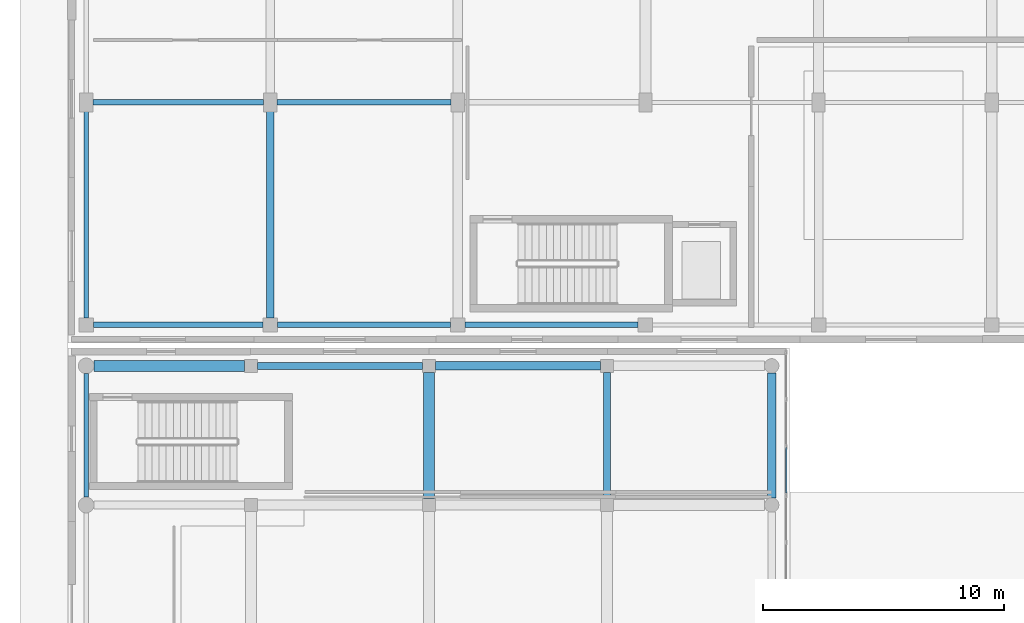
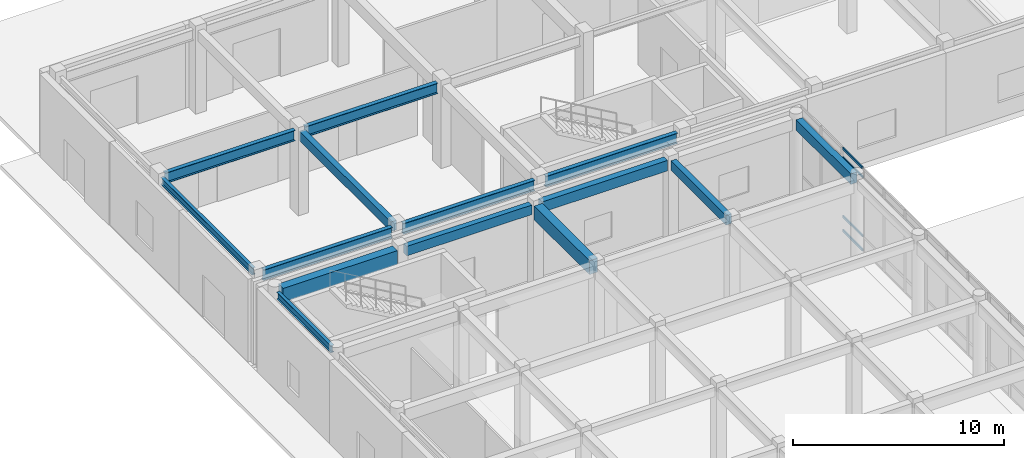
# One storey, part 41 of 121: 14 beams, 4 members, 1 element without a shape of its own.
"""IFC4 building model written with IfcOpenShell, lengths in metres."""

from ifc_helpers import new_model, si_unit, direction, frame, origin, origin_2d, place, context, subcontext, project, spatial, rectangle, hollow_rectangle, i_section, extrude, material, layer, layer_set, material_profile, profile_set, type_object, element, aggregate, save


model = new_model("IFC4")

# Units and contexts
model_context = context("Model", 3, precision=1e-05, world=origin(), true_north=direction((0.0, 1.0)))
body_context = subcontext(model_context, "Body", "Model", "MODEL_VIEW")
ifc_project = project(units=[si_unit("LENGTHUNIT", "METRE"), si_unit("AREAUNIT", "SQUARE_METRE"), si_unit("VOLUMEUNIT", "CUBIC_METRE"), si_unit("PLANEANGLEUNIT", "RADIAN"), si_unit("MASSUNIT", "GRAM", prefix="KILO")], contexts=[model_context])

# Site, building, storey
site_placement = place(None, origin())
site = spatial("IfcSite", under=ifc_project, at=site_placement, CompositionType="ELEMENT")
building_placement = place(site_placement, origin())
building = spatial("IfcBuilding", under=site, at=building_placement, Name="Valcora Specialist Clinic", CompositionType="ELEMENT")
storey_placement = place(building_placement, origin())
storey = spatial("IfcBuildingStorey", under=building, at=storey_placement, Name="L00", CompositionType="ELEMENT", Elevation=0.0)

# Beams
ifc_material_1 = material(Name="Steel ASTM A992 Grade 50", Category="steel")
ifc_material_profile_1 = material_profile(ifc_material_1, i_section(OverallWidth=0.177978515625, OverallDepth=0.406005859375, WebThickness=0.008056640625, FlangeThickness=0.012939453125, at=origin_2d()), Name="ST-IR-410X180")
ifc_profile_set_1 = profile_set([ifc_material_profile_1], Name="Steel ASTM A992 Grade 50")
beam_type_1 = type_object("IfcBeamType", Name="TY-BM-IR410", PredefinedType="SPANDREL", material=ifc_profile_set_1)
beam_1_placement = place(storey_placement, frame((0.75, 73.7890625, 4.60302734375), z_axis=(0.0, 1.0, 0.0), x_axis=(-1.0, 0.0, 0.0)))
element("IfcBeam", 1, at=beam_1_placement, inside=storey, type_object=beam_type_1, Name="Beam BM-L00-0106", PredefinedType="SPANDREL", context=body_context, shape_type="SweptSolid", body=[
    extrude(i_section(OverallWidth=0.177978515625, OverallDepth=0.406005859375, WebThickness=0.008056640625, FlangeThickness=0.012939453125, at=origin_2d()), origin(), (0.0, 0.0, 1.0), 5.135986328125),
])
beam_2_placement = place(storey_placement, frame((0.75, 81.25, 4.577880859375), z_axis=(0.0, 1.0, 0.0), x_axis=(-1.0, 0.0, 0.0)))
element("IfcBeam", 2, at=beam_2_placement, inside=storey, type_object=beam_type_1, Name="Beam BM-L00-0267", PredefinedType="SPANDREL", context=body_context, shape_type="SweptSolid", body=[
    extrude(i_section(OverallWidth=0.177978515625, OverallDepth=0.406005859375, WebThickness=0.008056640625, FlangeThickness=0.012939453125, at=origin_2d()), origin(), (0.0, 0.0, 1.0), 8.675048828125),
])
ifc_material_profile_2 = material_profile(ifc_material_1, i_section(OverallWidth=0.22900390625, OverallDepth=0.612060546875, WebThickness=0.011962890625, FlangeThickness=0.02001953125, at=origin_2d()), Name="ST-IR-610X229")
ifc_profile_set_2 = profile_set([ifc_material_profile_2], Name="Steel ASTM A992 Grade 50")
beam_type_2 = type_object("IfcBeamType", Name="TY-BM-IR610", PredefinedType="BEAM", material=ifc_profile_set_2)
beam_3_placement = place(storey_placement, frame((1.050048828125, 80.949951171875, 4.47509765625), z_axis=(1.0, 0.0, 0.0), x_axis=(0.0, 1.0, 0.0)))
element("IfcBeam", 3, at=beam_3_placement, inside=storey, type_object=beam_type_2, Name="Beam BM-L00-0241", PredefinedType="BEAM", context=body_context, shape_type="SweptSolid", body=[
    extrude(i_section(OverallWidth=0.22900390625, OverallDepth=0.612060546875, WebThickness=0.011962890625, FlangeThickness=0.02001953125, at=origin_2d()), origin(), (0.0, 0.0, 1.0), 7.050048828125),
])
for number, where, z_axis, x_axis, name in (
    (4, (8.699951171875, 80.949951171875, 4.47509765625), (1.0, 0.0, 0.0), (0.0, 1.0, 0.0), "Beam BM-L00-0242"),
    (5, (16.5, 80.949951171875, 4.47509765625), (1.0, 0.0, 0.0), (0.0, 1.0, 0.0), "Beam BM-L00-0243"),
):
    element("IfcBeam", number, at=place(storey_placement, frame(where, z_axis=z_axis, x_axis=x_axis)), inside=storey, type_object=beam_type_2, Name=name, PredefinedType="BEAM", context=body_context, shape_type="SweptSolid", body=[
        extrude(i_section(OverallWidth=0.22900390625, OverallDepth=0.612060546875, WebThickness=0.011962890625, FlangeThickness=0.02001953125, at=origin_2d()), origin(), (0.0, 0.0, 1.0), 7.199951171875),
    ])
beam_4_placement = place(storey_placement, frame((1.02490234375, 90.199951171875, 4.47509765625), z_axis=(1.0, 0.0, 0.0), x_axis=(0.0, 1.0, 0.0)))
element("IfcBeam", 6, at=beam_4_placement, inside=storey, type_object=beam_type_2, Name="Beam BM-L00-0248", PredefinedType="BEAM", context=body_context, shape_type="SweptSolid", body=[
    extrude(i_section(OverallWidth=0.22900390625, OverallDepth=0.612060546875, WebThickness=0.011962890625, FlangeThickness=0.02001953125, at=origin_2d()), origin(), (0.0, 0.0, 1.0), 7.10009765625),
])
beam_5_placement = place(storey_placement, frame((8.675048828125, 90.199951171875, 4.47509765625), z_axis=(1.0, 0.0, 0.0), x_axis=(0.0, 1.0, 0.0)))
element("IfcBeam", 7, at=beam_5_placement, inside=storey, type_object=beam_type_2, Name="Beam BM-L00-0249", PredefinedType="BEAM", context=body_context, shape_type="SweptSolid", body=[
    extrude(i_section(OverallWidth=0.22900390625, OverallDepth=0.612060546875, WebThickness=0.011962890625, FlangeThickness=0.02001953125, at=origin_2d()), origin(), (0.0, 0.0, 1.0), 7.25),
])
ifc_material_2 = material(Name="Concrete C40/50", Category="concrete")
ifc_material_profile_3 = material_profile(ifc_material_2, rectangle(XDim=0.300048828125, YDim=0.550048828125, at=origin_2d()), Name="RC-BM-300X550")
ifc_profile_set_3 = profile_set([ifc_material_profile_3], Name="Concrete C40/50")
beam_type_3 = type_object("IfcBeamType", Name="TY-BM-RC300X550", PredefinedType="BEAM", material=ifc_profile_set_3)
beam_6_placement = place(storey_placement, frame((7.875, 79.25, 4.534912109375), z_axis=(1.0, 0.0, 0.0), x_axis=(0.0, 1.0, 0.0)))
element("IfcBeam", 8, at=beam_6_placement, inside=storey, type_object=beam_type_3, Name="Beam BM-L00-0097", PredefinedType="BEAM", context=body_context, shape_type="SweptSolid", body=[
    extrude(rectangle(XDim=0.300048828125, YDim=0.550048828125, at=origin_2d()), origin(), (0.0, 0.0, 1.0), 6.85009765625),
])
beam_7_placement = place(storey_placement, frame((22.39990234375, 73.739013671875, 4.534912109375), z_axis=(0.0, 1.0, 0.0), x_axis=(-1.0, 0.0, 0.0)))
element("IfcBeam", 9, at=beam_7_placement, inside=storey, type_object=beam_type_3, Name="Beam BM-L00-0125", PredefinedType="BEAM", context=body_context, shape_type="SweptSolid", body=[
    extrude(rectangle(XDim=0.300048828125, YDim=0.550048828125, at=origin_2d()), origin(), (0.0, 0.0, 1.0), 5.236083984375),
])
beam_8_placement = place(storey_placement, frame((8.39990234375, 81.25, 4.510009765625), z_axis=(0.0, 1.0, 0.0), x_axis=(-1.0, 0.0, 0.0)))
element("IfcBeam", 10, at=beam_8_placement, inside=storey, type_object=beam_type_3, Name="Beam BM-L00-0269", PredefinedType="BEAM", context=body_context, shape_type="SweptSolid", body=[
    extrude(rectangle(XDim=0.300048828125, YDim=0.550048828125, at=origin_2d()), origin(), (0.0, 0.0, 1.0), 8.675048828125),
])
ifc_material_profile_4 = material_profile(ifc_material_2, rectangle(XDim=0.35009765625, YDim=0.60009765625, at=origin_2d()), Name="RC-BM-350X600")
ifc_profile_set_4 = profile_set([ifc_material_profile_4], Name="Concrete C40/50")
beam_type_4 = type_object("IfcBeamType", Name="TY-BM-RC350X600", PredefinedType="BEAM", material=ifc_profile_set_4)
beam_9_placement = place(storey_placement, frame((15.27490234375, 79.25, 4.510009765625), z_axis=(1.0, 0.0, 0.0), x_axis=(0.0, 1.0, 0.0)))
element("IfcBeam", 11, at=beam_9_placement, inside=storey, type_object=beam_type_4, Name="Beam BM-L00-0098", PredefinedType="BEAM", context=body_context, shape_type="SweptSolid", body=[
    extrude(rectangle(XDim=0.35009765625, YDim=0.60009765625, at=origin_2d()), origin(), (0.0, 0.0, 1.0), 6.85009765625),
])
beam_10_placement = place(storey_placement, frame((29.25, 73.763916015625, 4.510009765625), z_axis=(0.0, 1.0, 0.0), x_axis=(-1.0, 0.0, 0.0)))
element("IfcBeam", 12, at=beam_10_placement, inside=storey, type_object=beam_type_4, Name="Beam BM-L00-0132", PredefinedType="BEAM", context=body_context, shape_type="SweptSolid", body=[
    extrude(rectangle(XDim=0.35009765625, YDim=0.60009765625, at=origin_2d()), origin(), (0.0, 0.0, 1.0), 5.18603515625),
])
ifc_material_profile_5 = material_profile(ifc_material_2, rectangle(XDim=0.449951171875, YDim=0.800048828125, at=origin_2d()), Name="RC-BM-450X800")
ifc_profile_set_5 = profile_set([ifc_material_profile_5], Name="Concrete C40/50")
beam_type_5 = type_object("IfcBeamType", Name="TY-BM-RC450X800", PredefinedType="BEAM", material=ifc_profile_set_5)
beam_11_placement = place(storey_placement, frame((1.074951171875, 79.25, 4.409912109375), z_axis=(1.0, 0.0, 0.0), x_axis=(0.0, 1.0, 0.0)))
element("IfcBeam", 13, at=beam_11_placement, inside=storey, type_object=beam_type_5, Name="Beam BM-L00-0096", PredefinedType="BEAM", context=body_context, shape_type="SweptSolid", body=[
    extrude(rectangle(XDim=0.449951171875, YDim=0.800048828125, at=origin_2d()), origin(), (0.0, 0.0, 1.0), 6.25),
])
beam_12_placement = place(storey_placement, frame((15.0, 73.739013671875, 4.409912109375), z_axis=(0.0, 1.0, 0.0), x_axis=(-1.0, 0.0, 0.0)))
element("IfcBeam", 14, at=beam_12_placement, inside=storey, type_object=beam_type_5, Name="Beam BM-L00-0118", PredefinedType="BEAM", context=body_context, shape_type="SweptSolid", body=[
    extrude(rectangle(XDim=0.449951171875, YDim=0.800048828125, at=origin_2d()), origin(), (0.0, 0.0, 1.0), 5.236083984375),
])

# Curtain wall, members
ifc_material_3 = material(Name="Anodized Bronze Aluminium 6063-T6", Category="aluminium")
ifc_layer = layer(ifc_material_3, 0.175048828125)
ifc_layer_set = layer_set([ifc_layer], Name="Anodized Bronze Aluminium 6063-T6")
curtain_wall_type = type_object("IfcCurtainWallType", Name="TY-CW-HAL18", PredefinedType="NOTDEFINED", material=ifc_layer_set)
curtain_wall_placement = place(storey_placement, origin())
curtain_wall = element("IfcCurtainWall", 15, at=curtain_wall_placement, inside=storey, type_object=curtain_wall_type, Name="Curtain wall CW-L00-001", PredefinedType="NOTDEFINED")
ifc_material_profile_6 = material_profile(ifc_material_3, hollow_rectangle(XDim=0.06494140625, YDim=0.1298828125, WallThickness=0.00390625, at=origin_2d()), Name="AL-TRN-65X130")
ifc_profile_set_6 = profile_set([ifc_material_profile_6], Name="Anodized Bronze Aluminium 6063-T6")
member_type = type_object("IfcMemberType", Name="TY-CWT-65X130", PredefinedType="USERDEFINED", material=ifc_profile_set_6)
member_1_placement = place(storey_placement, frame((29.85009765625, 75.84619140625, 0.032470703125), z_axis=(0.0, -1.0, 0.0), x_axis=(1.0, 0.0, 0.0)))
member_1 = element("IfcMember", 16, at=member_1_placement, type_object=member_type, Name="CW-HAL-18 transom 3.1", ObjectType="TRANSOM", PredefinedType="USERDEFINED", context=body_context, shape_type="SweptSolid", body=[
    extrude(hollow_rectangle(XDim=0.06494140625, YDim=0.1298828125, WallThickness=0.00390625, at=origin_2d()), origin(), (0.0, 0.0, 1.0), 1.88818359375),
])
member_2_placement = place(storey_placement, frame((29.85009765625, 75.84619140625, 0.85009765625), z_axis=(0.0, -1.0, 0.0), x_axis=(1.0, 0.0, 0.0)))
member_2 = element("IfcMember", 17, at=member_2_placement, type_object=member_type, Name="CW-HAL-18 transom 3.2", ObjectType="TRANSOM", PredefinedType="USERDEFINED", context=body_context, shape_type="SweptSolid", body=[
    extrude(hollow_rectangle(XDim=0.06494140625, YDim=0.1298828125, WallThickness=0.00390625, at=origin_2d()), origin(), (0.0, 0.0, 1.0), 1.88818359375),
])
member_3_placement = place(storey_placement, frame((29.85009765625, 75.84619140625, 4.260009765625), z_axis=(0.0, -1.0, 0.0), x_axis=(1.0, 0.0, 0.0)))
member_3 = element("IfcMember", 18, at=member_3_placement, type_object=member_type, Name="CW-HAL-18 transom 3.3", ObjectType="TRANSOM", PredefinedType="USERDEFINED", context=body_context, shape_type="SweptSolid", body=[
    extrude(hollow_rectangle(XDim=0.06494140625, YDim=0.1298828125, WallThickness=0.00390625, at=origin_2d()), origin(), (0.0, 0.0, 1.0), 1.88818359375),
])
member_4_placement = place(storey_placement, frame((29.85009765625, 75.84619140625, 4.777587890625), z_axis=(0.0, -1.0, 0.0), x_axis=(1.0, 0.0, 0.0)))
member_4 = element("IfcMember", 19, at=member_4_placement, type_object=member_type, Name="CW-HAL-18 transom 3.4", ObjectType="TRANSOM", PredefinedType="USERDEFINED", context=body_context, shape_type="SweptSolid", body=[
    extrude(hollow_rectangle(XDim=0.06494140625, YDim=0.1298828125, WallThickness=0.00390625, at=origin_2d()), origin(), (0.0, 0.0, 1.0), 1.88818359375),
])
aggregate(curtain_wall, [member_1, member_2, member_3, member_4])

save(model, "model.ifc")
